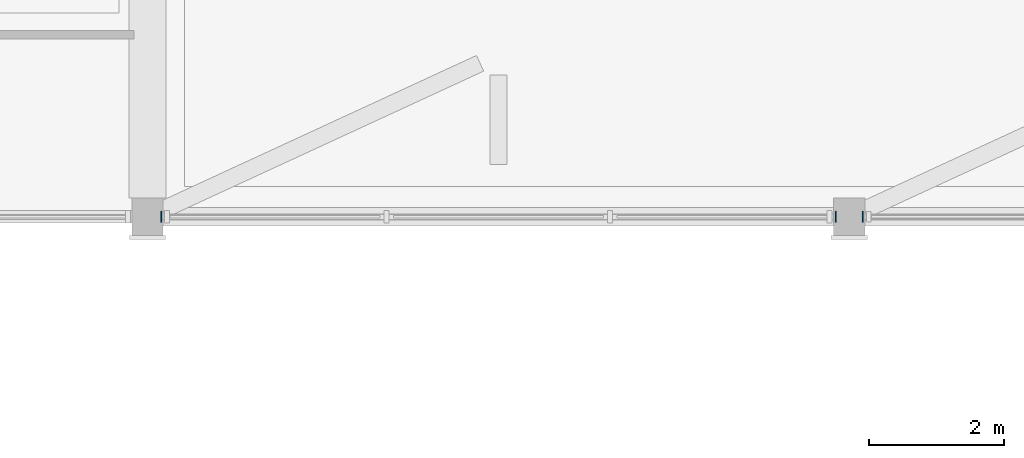
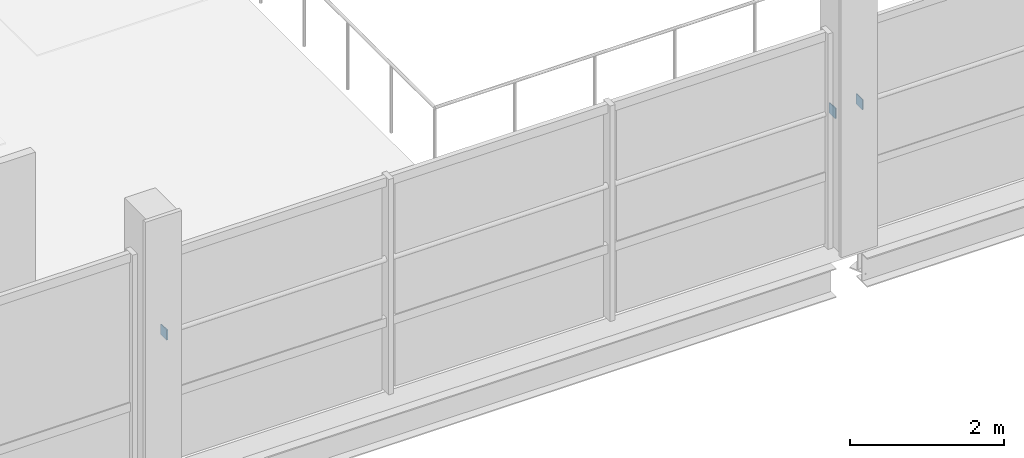
# One storey, part 38 of 85: 3 plates.
"""IFC4 building model written with IfcOpenShell, lengths in metres."""

import ifcopenshell
import ifcopenshell.guid

model = None  # the IFC model being written
_history = None  # IfcOwnerHistory: only IFC2X3 demands one
_inside = {}  # id of a spatial element -> (the spatial element, [elements in it])
_under = {}  # id of a project, library or spatial element -> (it, [spatial elements below it])
_declared = {}  # id of a project -> (the project, [libraries it declares])
_typed = {}  # id of a type object -> (the type object, [elements of that type])
_made_of = {}  # id of a material, layer set ... -> (it, [elements and type objects made of it])


def new_model(schema):
    """Start an empty IFC model of exactly this schema.

    Asked for "IFC4X3", IfcOpenShell would pick the latest addendum, in which some entities
    have other attributes; the version numbers below select the first issue.
    IFC2X3 requires an IfcOwnerHistory on every rooted entity: one is made here for all.
    """
    global model, _history
    if schema == "IFC4X3":
        model = ifcopenshell.file(schema_version=(4, 3, 0, 0))
    else:
        model = ifcopenshell.file(schema=schema)
    _inside.clear()
    _under.clear()
    _declared.clear()
    _typed.clear()
    _made_of.clear()
    _history = None
    if model.schema == "IFC2X3":
        org = make("IfcOrganization", Name="unknown")
        user = make(
            "IfcPersonAndOrganization",
            ThePerson=make("IfcPerson", FamilyName="unknown"),
            TheOrganization=org,
        )
        app = make(
            "IfcApplication",
            ApplicationDeveloper=org,
            Version="unknown",
            ApplicationFullName="unknown",
            ApplicationIdentifier="unknown",
        )
        _history = make(
            "IfcOwnerHistory",
            OwningUser=user,
            OwningApplication=app,
            ChangeAction="ADDED",
            CreationDate=0,
        )
    return model


def make(cls, **values):
    """One entity of the class cls with the attributes given. An attribute that is None is left unset."""
    return model.create_entity(
        cls, **{name: value for name, value in values.items() if value is not None}
    )


def rooted(cls, **values):
    """An entity with a GlobalId (a new one), such as an element, a storey or a relation."""
    return make(cls, GlobalId=ifcopenshell.guid.new(), OwnerHistory=_history, **values)


def si_unit(unit_type, name, prefix=None):
    """IfcSIUnit, for example si_unit("LENGTHUNIT", "METRE", prefix="MILLI")."""
    return make("IfcSIUnit", UnitType=unit_type, Prefix=prefix, Name=name)


def derived_unit(unit_type, elements):
    """IfcDerivedUnit: a product of units, each with its exponent."""
    return make(
        "IfcDerivedUnit",
        Elements=[
            make("IfcDerivedUnitElement", Unit=unit, Exponent=power)
            for unit, power in elements
        ],
        UnitType=unit_type,
    )


def assignment(units):
    """IfcUnitAssignment: the units of a project."""
    return None if units is None else make("IfcUnitAssignment", Units=units)


def point(xyz):
    """IfcCartesianPoint."""
    return None if xyz is None else make("IfcCartesianPoint", Coordinates=xyz)


def direction(xyz):
    """IfcDirection."""
    return None if xyz is None else make("IfcDirection", DirectionRatios=xyz)


def frame(location, z_axis=None, x_axis=None):
    """IfcAxis2Placement3D, a coordinate frame: its origin and axes. An axis left out is left unset."""
    return make(
        "IfcAxis2Placement3D",
        Location=point(location),
        Axis=direction(z_axis),
        RefDirection=direction(x_axis),
    )


def frame_2d(location, x_axis=None):
    """IfcAxis2Placement2D, a coordinate frame in the plane: its origin and x axis."""
    return make(
        "IfcAxis2Placement2D", Location=point(location), RefDirection=direction(x_axis)
    )


def origin():
    """The frame at (0, 0, 0) with its axes left unset."""
    return frame((0.0, 0.0, 0.0))


def origin_2d():
    """The frame at (0, 0) in the plane with its x axis left unset."""
    return frame_2d((0.0, 0.0))


def place(relative_to, where):
    """IfcLocalPlacement: puts the frame where relative to a parent placement (None: the world)."""
    return make(
        "IfcLocalPlacement", PlacementRelTo=relative_to, RelativePlacement=where
    )


def context(
    kind, dimensions, precision=None, world=None, true_north=None, identifier=None
):
    """IfcGeometricRepresentationContext, for example the 3D "Model" context."""
    return make(
        "IfcGeometricRepresentationContext",
        ContextIdentifier=identifier,
        ContextType=kind,
        CoordinateSpaceDimension=dimensions,
        Precision=precision,
        WorldCoordinateSystem=world,
        TrueNorth=true_north,
    )


def subcontext(parent, identifier, kind, view, scale=None):
    """IfcGeometricRepresentationSubContext, for example "Body" below "Model"."""
    return make(
        "IfcGeometricRepresentationSubContext",
        ContextIdentifier=identifier,
        ContextType=kind,
        ParentContext=parent,
        TargetScale=scale,
        TargetView=view,
    )


def project(units=None, contexts=None):
    """IfcProject with its units and contexts."""
    return rooted(
        "IfcProject",
        Name="project",
        RepresentationContexts=contexts,
        UnitsInContext=assignment(units),
    )


def spatial(cls, under=None, at=None, **own):
    """A site, building, storey or space (cls), placed at a placement, below another one or the project."""
    s = rooted(cls, ObjectPlacement=at, **own)
    if under is not None:
        _under.setdefault(under.id(), (under, []))[1].append(s)
    return s


def profile(cls, at=None, kind="AREA", **sizes):
    """A parametric profile (cls). Its sizes go by their IFC names, for example OverallWidth=200.0."""
    return make(cls, ProfileType=kind, Position=at, **sizes)


def rectangle(**sizes):
    """IfcRectangleProfileDef."""
    return profile("IfcRectangleProfileDef", **sizes)


def extrude(swept, where, along, depth):
    """IfcExtrudedAreaSolid: the profile swept, set in the frame where, extruded along a direction by depth."""
    return make(
        "IfcExtrudedAreaSolid",
        SweptArea=swept,
        Position=where,
        ExtrudedDirection=direction(along),
        Depth=depth,
    )


def shape(context_of_items, identifier, shape_type, items):
    """IfcShapeRepresentation: the items that make up one representation, for example the "Body"."""
    return make(
        "IfcShapeRepresentation",
        ContextOfItems=context_of_items,
        RepresentationIdentifier=identifier,
        RepresentationType=shape_type,
        Items=items,
    )


def material(Name=None, Category=None):
    """IfcMaterial."""
    return make("IfcMaterial", Name=Name, Category=Category)


def layer(
    of_material, thickness, ventilated=None, Name=None, Category=None, Priority=None
):
    """IfcMaterialLayer: one layer of a wall or slab, of a material (None: an air gap)."""
    return make(
        "IfcMaterialLayer",
        Material=of_material,
        LayerThickness=thickness,
        IsVentilated=ventilated,
        Name=Name,
        Category=Category,
        Priority=Priority,
    )


def layer_set(layers, Name=None):
    """IfcMaterialLayerSet."""
    return make("IfcMaterialLayerSet", MaterialLayers=layers, LayerSetName=Name)


def made_of(thing, what):
    """Note that an element or type object is made of a material, layer set ...; save() writes the relation."""
    if what is not None:
        _made_of.setdefault(what.id(), (what, []))[1].append(thing)
    return thing


def type_object(cls, material=None, **own):
    """A type object (cls), such as IfcWallType, which elements share."""
    return made_of(rooted(cls, **own), material)


def element(
    cls,
    number,
    at=None,
    inside=None,
    cuts=None,
    type_object=None,
    material=None,
    context=None,
    identifier="Body",
    shape_type=None,
    held_by="IfcProductDefinitionShape",
    body=None,
    shapes=None,
    **own,
):
    """One element of the class cls, such as IfcWall. Its Tag is "e" and its number.

    at: its placement. inside: the storey or other place that contains it. cuts: it is an
    opening in that element (IfcRelVoidsElement). A single representation is given by context,
    identifier, shape_type and body (its items); several are given by shapes. held_by: the class
    of the entity that holds the representations. save() writes the other relations.
    """
    e = rooted(cls, Tag="e%d" % number, ObjectPlacement=at, **own)
    if body is not None:
        shapes = [shape(context, identifier, shape_type, body)]
    if shapes is not None:
        e.Representation = make(held_by, Representations=shapes)
    if inside is not None:
        _inside.setdefault(inside.id(), (inside, []))[1].append(e)
    if cuts is not None:
        rooted(
            "IfcRelVoidsElement", RelatingBuildingElement=cuts, RelatedOpeningElement=e
        )
    if type_object is not None:
        _typed.setdefault(type_object.id(), (type_object, []))[1].append(e)
    return made_of(e, material)


def aggregate(whole, parts):
    """IfcRelAggregates: a whole, such as a stair, and the parts it consists of."""
    return rooted("IfcRelAggregates", RelatingObject=whole, RelatedObjects=parts)


def save(model, path):
    """Write the relations noted so far, then the file.

    IfcRelAggregates (storeys below a building ...), IfcRelContainedInSpatialStructure (elements
    in a storey), IfcRelDefinesByType, IfcRelAssociatesMaterial and IfcRelDeclares: one each for
    every whole, place, type object, material and project.
    """
    for whole, parts in _under.values():
        aggregate(whole, parts)
    for where, things in _inside.values():
        rooted(
            "IfcRelContainedInSpatialStructure",
            RelatedElements=things,
            RelatingStructure=where,
        )
    for kind, things in _typed.values():
        rooted("IfcRelDefinesByType", RelatedObjects=things, RelatingType=kind)
    for what, things in _made_of.values():
        rooted("IfcRelAssociatesMaterial", RelatedObjects=things, RelatingMaterial=what)
    for by, libraries in _declared.values():
        rooted("IfcRelDeclares", RelatingContext=by, RelatedDefinitions=libraries)
    model.write(path)


model = new_model("IFC4")

# Units and contexts
model_context = context("Model", 3, precision=1e-05, world=origin(), true_north=direction((0.0, 1.0)))
body_context = subcontext(model_context, "Body", "Model", "MODEL_VIEW")
ifc_project = project(units=[si_unit("LENGTHUNIT", "METRE"), si_unit("AREAUNIT", "SQUARE_METRE"), si_unit("VOLUMEUNIT", "CUBIC_METRE"), si_unit("PLANEANGLEUNIT", "RADIAN"), si_unit("MASSUNIT", "GRAM", prefix="KILO"), derived_unit("THERMALTRANSMITTANCEUNIT", [(si_unit("POWERUNIT", "WATT"), 1), (si_unit("LENGTHUNIT", "METRE"), -2), (si_unit("THERMODYNAMICTEMPERATUREUNIT", "KELVIN"), -1)])], contexts=[model_context])

# Site, building, storey
site_placement = place(None, origin())
site = spatial("IfcSite", under=ifc_project, at=site_placement, CompositionType="ELEMENT")
building_placement = place(site_placement, origin())
building = spatial("IfcBuilding", under=site, at=building_placement, Name="Braskholm Square Health Centre", CompositionType="ELEMENT")
storey_placement = place(building_placement, frame((0.0, 0.0, 9.300048828125)))
storey = spatial("IfcBuildingStorey", under=building, at=storey_placement, Name="L03", CompositionType="ELEMENT", Elevation=9.300048828125)

# Plates
ifc_material = material(Name="Steel ASTM A572 Grade 50", Category="steel")
ifc_layer = layer(ifc_material, 0.01611328125)
ifc_layer_set = layer_set([ifc_layer], Name="Steel ASTM A572 Grade 50")
plate_type = type_object("IfcPlateType", Name="CapPlateHSS152TN8", PredefinedType="USERDEFINED", material=ifc_layer_set)
for number, where, z_axis, x_axis, name in (
    (1, (47.802001953125, 87.199951171875, 2.02001953125), (0.0, 0.0, 1.0), (1.0, 0.0, 0.0), "Hollow section end cap plate 0277"),
    (2, (57.798095703125, 87.199951171875, 2.02001953125), (0.0, 0.0, 1.0), (1.0, 0.0, 0.0), "Hollow section end cap plate 0278"),
    (3, (58.201904296875, 87.199951171875, 2.02001953125), (0.0, 0.0, 1.0), (1.0, 0.0, 0.0), "Hollow section end cap plate 0285"),
):
    element("IfcPlate", number, at=place(storey_placement, frame(where, z_axis=z_axis, x_axis=x_axis)), inside=storey, type_object=plate_type, Name=name, ObjectType="CAP_PLATE", PredefinedType="USERDEFINED", context=body_context, shape_type="SweptSolid", body=[
        extrude(rectangle(XDim=0.01611328125, YDim=0.159912109375, at=origin_2d()), origin(), (0.0, 0.0, 1.0), 0.159912109375),
    ])

save(model, "model.ifc")
